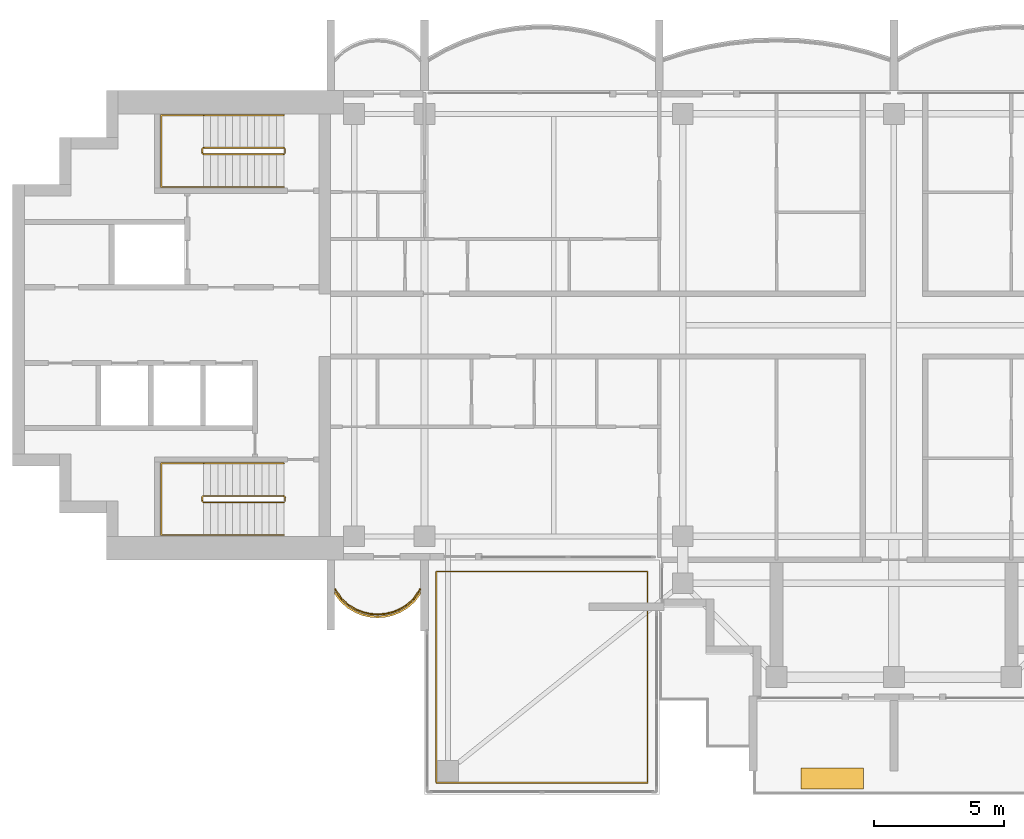
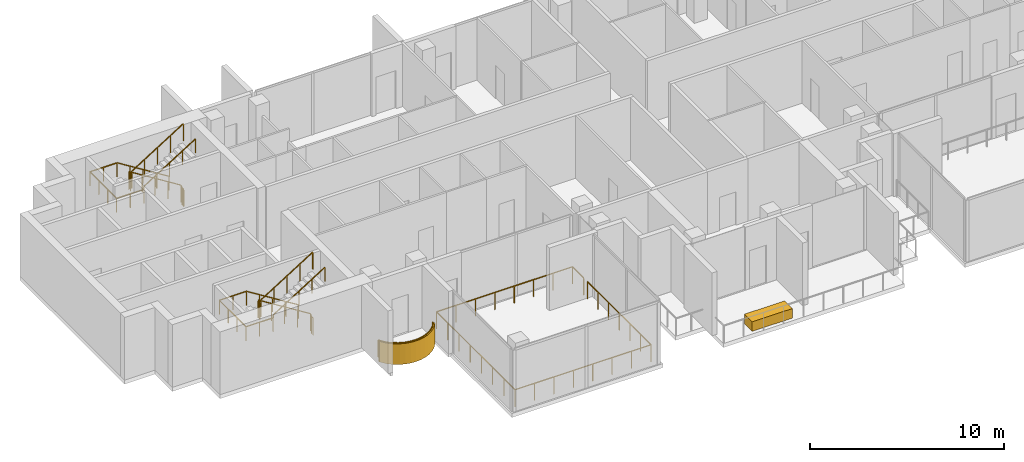
# One storey, part 13 of 16: 6 railings, 2 coverings.
"""IFC4 building model written with IfcOpenShell, lengths in metres."""

import ifcopenshell
import ifcopenshell.guid

model = None  # the IFC model being written
_history = None  # IfcOwnerHistory: only IFC2X3 demands one
_inside = {}  # id of a spatial element -> (the spatial element, [elements in it])
_under = {}  # id of a project, library or spatial element -> (it, [spatial elements below it])
_declared = {}  # id of a project -> (the project, [libraries it declares])
_typed = {}  # id of a type object -> (the type object, [elements of that type])
_made_of = {}  # id of a material, layer set ... -> (it, [elements and type objects made of it])


def new_model(schema):
    """Start an empty IFC model of exactly this schema.

    Asked for "IFC4X3", IfcOpenShell would pick the latest addendum, in which some entities
    have other attributes; the version numbers below select the first issue.
    IFC2X3 requires an IfcOwnerHistory on every rooted entity: one is made here for all.
    """
    global model, _history
    if schema == "IFC4X3":
        model = ifcopenshell.file(schema_version=(4, 3, 0, 0))
    else:
        model = ifcopenshell.file(schema=schema)
    _inside.clear()
    _under.clear()
    _declared.clear()
    _typed.clear()
    _made_of.clear()
    _history = None
    if model.schema == "IFC2X3":
        org = make("IfcOrganization", Name="unknown")
        user = make(
            "IfcPersonAndOrganization",
            ThePerson=make("IfcPerson", FamilyName="unknown"),
            TheOrganization=org,
        )
        app = make(
            "IfcApplication",
            ApplicationDeveloper=org,
            Version="unknown",
            ApplicationFullName="unknown",
            ApplicationIdentifier="unknown",
        )
        _history = make(
            "IfcOwnerHistory",
            OwningUser=user,
            OwningApplication=app,
            ChangeAction="ADDED",
            CreationDate=0,
        )
    return model


def make(cls, **values):
    """One entity of the class cls with the attributes given. An attribute that is None is left unset."""
    return model.create_entity(
        cls, **{name: value for name, value in values.items() if value is not None}
    )


def rooted(cls, **values):
    """An entity with a GlobalId (a new one), such as an element, a storey or a relation."""
    return make(cls, GlobalId=ifcopenshell.guid.new(), OwnerHistory=_history, **values)


def si_unit(unit_type, name, prefix=None):
    """IfcSIUnit, for example si_unit("LENGTHUNIT", "METRE", prefix="MILLI")."""
    return make("IfcSIUnit", UnitType=unit_type, Prefix=prefix, Name=name)


def assignment(units):
    """IfcUnitAssignment: the units of a project."""
    return None if units is None else make("IfcUnitAssignment", Units=units)


def point(xyz):
    """IfcCartesianPoint."""
    return None if xyz is None else make("IfcCartesianPoint", Coordinates=xyz)


def direction(xyz):
    """IfcDirection."""
    return None if xyz is None else make("IfcDirection", DirectionRatios=xyz)


def frame(location, z_axis=None, x_axis=None):
    """IfcAxis2Placement3D, a coordinate frame: its origin and axes. An axis left out is left unset."""
    return make(
        "IfcAxis2Placement3D",
        Location=point(location),
        Axis=direction(z_axis),
        RefDirection=direction(x_axis),
    )


def frame_2d(location, x_axis=None):
    """IfcAxis2Placement2D, a coordinate frame in the plane: its origin and x axis."""
    return make(
        "IfcAxis2Placement2D", Location=point(location), RefDirection=direction(x_axis)
    )


def origin():
    """The frame at (0, 0, 0) with its axes left unset."""
    return frame((0.0, 0.0, 0.0))


def origin_2d():
    """The frame at (0, 0) in the plane with its x axis left unset."""
    return frame_2d((0.0, 0.0))


def place(relative_to, where):
    """IfcLocalPlacement: puts the frame where relative to a parent placement (None: the world)."""
    return make(
        "IfcLocalPlacement", PlacementRelTo=relative_to, RelativePlacement=where
    )


def context(
    kind, dimensions, precision=None, world=None, true_north=None, identifier=None
):
    """IfcGeometricRepresentationContext, for example the 3D "Model" context."""
    return make(
        "IfcGeometricRepresentationContext",
        ContextIdentifier=identifier,
        ContextType=kind,
        CoordinateSpaceDimension=dimensions,
        Precision=precision,
        WorldCoordinateSystem=world,
        TrueNorth=true_north,
    )


def subcontext(parent, identifier, kind, view, scale=None):
    """IfcGeometricRepresentationSubContext, for example "Body" below "Model"."""
    return make(
        "IfcGeometricRepresentationSubContext",
        ContextIdentifier=identifier,
        ContextType=kind,
        ParentContext=parent,
        TargetScale=scale,
        TargetView=view,
    )


def project(units=None, contexts=None):
    """IfcProject with its units and contexts."""
    return rooted(
        "IfcProject",
        Name="project",
        RepresentationContexts=contexts,
        UnitsInContext=assignment(units),
    )


def spatial(cls, under=None, at=None, **own):
    """A site, building, storey or space (cls), placed at a placement, below another one or the project."""
    s = rooted(cls, ObjectPlacement=at, **own)
    if under is not None:
        _under.setdefault(under.id(), (under, []))[1].append(s)
    return s


def polyline(points):
    """IfcPolyline through the points."""
    return make("IfcPolyline", Points=[point(p) for p in points])


def profile(cls, at=None, kind="AREA", **sizes):
    """A parametric profile (cls). Its sizes go by their IFC names, for example OverallWidth=200.0."""
    return make(cls, ProfileType=kind, Position=at, **sizes)


def rectangle(**sizes):
    """IfcRectangleProfileDef."""
    return profile("IfcRectangleProfileDef", **sizes)


def outline(outer, holes=None, kind="AREA"):
    """IfcArbitraryClosedProfileDef: a profile drawn as a closed curve; with holes, ...WithVoids."""
    if holes is None:
        return make("IfcArbitraryClosedProfileDef", ProfileType=kind, OuterCurve=outer)
    return make(
        "IfcArbitraryProfileDefWithVoids",
        ProfileType=kind,
        OuterCurve=outer,
        InnerCurves=holes,
    )


def extrude(swept, where, along, depth):
    """IfcExtrudedAreaSolid: the profile swept, set in the frame where, extruded along a direction by depth."""
    return make(
        "IfcExtrudedAreaSolid",
        SweptArea=swept,
        Position=where,
        ExtrudedDirection=direction(along),
        Depth=depth,
    )


def shape(context_of_items, identifier, shape_type, items):
    """IfcShapeRepresentation: the items that make up one representation, for example the "Body"."""
    return make(
        "IfcShapeRepresentation",
        ContextOfItems=context_of_items,
        RepresentationIdentifier=identifier,
        RepresentationType=shape_type,
        Items=items,
    )


def material(Name=None, Category=None):
    """IfcMaterial."""
    return make("IfcMaterial", Name=Name, Category=Category)


def layer(
    of_material, thickness, ventilated=None, Name=None, Category=None, Priority=None
):
    """IfcMaterialLayer: one layer of a wall or slab, of a material (None: an air gap)."""
    return make(
        "IfcMaterialLayer",
        Material=of_material,
        LayerThickness=thickness,
        IsVentilated=ventilated,
        Name=Name,
        Category=Category,
        Priority=Priority,
    )


def layer_set(layers, Name=None):
    """IfcMaterialLayerSet."""
    return make("IfcMaterialLayerSet", MaterialLayers=layers, LayerSetName=Name)


def made_of(thing, what):
    """Note that an element or type object is made of a material, layer set ...; save() writes the relation."""
    if what is not None:
        _made_of.setdefault(what.id(), (what, []))[1].append(thing)
    return thing


def type_object(cls, material=None, **own):
    """A type object (cls), such as IfcWallType, which elements share."""
    return made_of(rooted(cls, **own), material)


def element(
    cls,
    number,
    at=None,
    inside=None,
    cuts=None,
    type_object=None,
    material=None,
    context=None,
    identifier="Body",
    shape_type=None,
    held_by="IfcProductDefinitionShape",
    body=None,
    shapes=None,
    **own,
):
    """One element of the class cls, such as IfcWall. Its Tag is "e" and its number.

    at: its placement. inside: the storey or other place that contains it. cuts: it is an
    opening in that element (IfcRelVoidsElement). A single representation is given by context,
    identifier, shape_type and body (its items); several are given by shapes. held_by: the class
    of the entity that holds the representations. save() writes the other relations.
    """
    e = rooted(cls, Tag="e%d" % number, ObjectPlacement=at, **own)
    if body is not None:
        shapes = [shape(context, identifier, shape_type, body)]
    if shapes is not None:
        e.Representation = make(held_by, Representations=shapes)
    if inside is not None:
        _inside.setdefault(inside.id(), (inside, []))[1].append(e)
    if cuts is not None:
        rooted(
            "IfcRelVoidsElement", RelatingBuildingElement=cuts, RelatedOpeningElement=e
        )
    if type_object is not None:
        _typed.setdefault(type_object.id(), (type_object, []))[1].append(e)
    return made_of(e, material)


def aggregate(whole, parts):
    """IfcRelAggregates: a whole, such as a stair, and the parts it consists of."""
    return rooted("IfcRelAggregates", RelatingObject=whole, RelatedObjects=parts)


def save(model, path):
    """Write the relations noted so far, then the file.

    IfcRelAggregates (storeys below a building ...), IfcRelContainedInSpatialStructure (elements
    in a storey), IfcRelDefinesByType, IfcRelAssociatesMaterial and IfcRelDeclares: one each for
    every whole, place, type object, material and project.
    """
    for whole, parts in _under.values():
        aggregate(whole, parts)
    for where, things in _inside.values():
        rooted(
            "IfcRelContainedInSpatialStructure",
            RelatedElements=things,
            RelatingStructure=where,
        )
    for kind, things in _typed.values():
        rooted("IfcRelDefinesByType", RelatedObjects=things, RelatingType=kind)
    for what, things in _made_of.values():
        rooted("IfcRelAssociatesMaterial", RelatedObjects=things, RelatingMaterial=what)
    for by, libraries in _declared.values():
        rooted("IfcRelDeclares", RelatingContext=by, RelatedDefinitions=libraries)
    model.write(path)


model = new_model("IFC4")

# Units and contexts
model_context = context("Model", 3, precision=1e-05, world=origin(), true_north=direction((0.0, 1.0)))
body_context = subcontext(model_context, "Body", "Model", "MODEL_VIEW")
ifc_project = project(units=[si_unit("LENGTHUNIT", "METRE"), si_unit("AREAUNIT", "SQUARE_METRE"), si_unit("VOLUMEUNIT", "CUBIC_METRE"), si_unit("PLANEANGLEUNIT", "RADIAN"), si_unit("MASSUNIT", "GRAM", prefix="KILO")], contexts=[model_context])

# Site, building, storey
site_placement = place(None, origin())
site = spatial("IfcSite", under=ifc_project, at=site_placement, CompositionType="ELEMENT")
building_placement = place(site_placement, origin())
building = spatial("IfcBuilding", under=site, at=building_placement, Name="Perihelion Cross Residences", CompositionType="ELEMENT")
storey_placement = place(building_placement, frame((0.0, 0.0, 290.39990234375)))
storey = spatial("IfcBuildingStorey", under=building, at=storey_placement, Name="L74", CompositionType="ELEMENT", Elevation=290.39990234375)

# Covering
ifc_material_1 = material(Name="Bronze anodised aluminium", Category="aluminium")
ifc_layer = layer(ifc_material_1, 0.070068359375)
ifc_layer_set = layer_set([ifc_layer], Name="Balcony fascia 1300")
covering_type_1 = type_object("IfcCoveringType", Name="Balcony fascia 1300", PredefinedType="CLADDING", material=ifc_layer_set)
covering_1_placement = place(storey_placement, frame((0.0, 0.0, -0.199951171875)))
element("IfcCovering", 1, at=covering_1_placement, inside=storey, type_object=covering_type_1, Name="Fascia BF1 L74 west side south bay 1", PredefinedType="CLADDING", context=body_context, shape_type="SweptSolid", body=[
    extrude(outline(polyline([(-21.226318359375, -10.616455078125), (-20.94091796875, -10.86328125), (-20.655517578125, -11.031494140625), (-20.370361328125, -11.142578125), (-20.085205078125, -11.206298828125), (-19.800048828125, -11.22705078125), (-19.514892578125, -11.206298828125), (-19.229736328125, -11.142578125), (-18.9443359375, -11.031494140625), (-18.6591796875, -10.86328125), (-18.373779296875, -10.616455078125), (-18.14990234375, -10.31689453125), (-18.14990234375, -10.199951171875), (-18.425048828125, -10.568603515625), (-18.699951171875, -10.806396484375), (-18.97509765625, -10.96875), (-19.25, -11.07568359375), (-19.52490234375, -11.136962890625), (-19.800048828125, -11.156982421875), (-20.074951171875, -11.136962890625), (-20.35009765625, -11.07568359375), (-20.625, -10.96875), (-20.89990234375, -10.806396484375), (-21.175048828125, -10.568603515625), (-21.449951171875, -10.199951171875), (-21.449951171875, -10.31689453125), (-21.226318359375, -10.616455078125)])), origin(), (0.0, 0.0, 1.0), 1.300048828125),
])

# Railings
ifc_material_2 = material(Name="Bronze anodised aluminium", Category="aluminium")
railing_type_1 = type_object("IfcRailingType", Name="Balcony guard 1100", PredefinedType="GUARDRAIL", material=ifc_material_2)
railing_1_placement = place(storey_placement, frame((-21.425048828125, -10.139892578125, 0.0)))
element("IfcRailing", 2, at=railing_1_placement, inside=storey, type_object=railing_type_1, Name="Guard GU1 L74 west side south bay 1 balcony", PredefinedType="GUARDRAIL", context=body_context, shape_type="SweptSolid", body=[
    extrude(rectangle(XDim=0.048095703125, YDim=0.048095703125, at=origin_2d()), frame((0.0, 0.0, 1.076171875), z_axis=(0.561260132269, -0.827639452857, 0.0), x_axis=(0.827639452857, 0.561260132269, 0.0)), (0.0, 0.0, 1.0), 0.4453125),
    extrude(rectangle(XDim=0.048095703125, YDim=0.048095703125, at=origin_2d()), frame((0.25, -0.36865234375, 1.076171875), z_axis=(0.756596535164, -0.653882009982, 0.0), x_axis=(0.653882009982, 0.756596535164, 0.0)), (0.0, 0.0, 1.0), 0.36376953125),
    extrude(rectangle(XDim=0.048095703125, YDim=0.048095703125, at=origin_2d()), frame((0.525146484375, -0.6064453125, 1.076171875), z_axis=(0.861048292884, -0.508523192511, 0.0), x_axis=(0.508523192511, 0.861048292884, 0.0)), (0.0, 0.0, 1.0), 0.3193359375),
    extrude(rectangle(XDim=0.048095703125, YDim=0.048095703125, at=origin_2d()), frame((0.800048828125, -0.768798828125, 1.076171875), z_axis=(0.931973602183, -0.362526143656, 0.0), x_axis=(0.362526143656, 0.931973602183, 0.0)), (0.0, 0.0, 1.0), 0.294921875),
    extrude(rectangle(XDim=0.048095703125, YDim=0.048095703125, at=origin_2d()), frame((1.074951171875, -0.875732421875, 1.076171875), z_axis=(0.976085059389, -0.21738895289, 0.0), x_axis=(0.21738895289, 0.976085059389, 0.0)), (0.0, 0.0, 1.0), 0.281982421875),
    extrude(rectangle(XDim=0.048095703125, YDim=0.048095703125, at=origin_2d()), frame((1.35009765625, -0.93701171875, 1.076171875), z_axis=(0.997358821833, -0.072631814734, 0.0), x_axis=(0.072631814734, 0.997358821833, 0.0)), (0.0, 0.0, 1.0), 0.275634765625),
    extrude(rectangle(XDim=0.048095703125, YDim=0.048095703125, at=origin_2d()), frame((1.625, -0.95703125, 1.076171875), z_axis=(0.997363488337, 0.072567707226, 0.0), x_axis=(-0.072567707226, 0.997363488337, 0.0)), (0.0, 0.0, 1.0), 0.27587890625),
    extrude(rectangle(XDim=0.048095703125, YDim=0.048095703125, at=origin_2d()), frame((1.900146484375, -0.93701171875, 1.076171875), z_axis=(0.976044077717, 0.217572880557, 0.0), x_axis=(-0.217572880557, 0.976044077717, 0.0)), (0.0, 0.0, 1.0), 0.28173828125),
    extrude(rectangle(XDim=0.048095703125, YDim=0.048095703125, at=origin_2d()), frame((2.175048828125, -0.875732421875, 1.076171875), z_axis=(0.931973602183, 0.362526143656, 0.0), x_axis=(-0.362526143656, 0.931973602183, 0.0)), (0.0, 0.0, 1.0), 0.294921875),
    extrude(rectangle(XDim=0.048095703125, YDim=0.048095703125, at=origin_2d()), frame((2.449951171875, -0.768798828125, 1.076171875), z_axis=(0.861245845072, 0.508188542123, 0.0), x_axis=(-0.508188542123, 0.861245845072, 0.0)), (0.0, 0.0, 1.0), 0.319580078125),
    extrude(rectangle(XDim=0.048095703125, YDim=0.048095703125, at=origin_2d()), frame((2.72509765625, -0.6064453125, 1.076171875), z_axis=(0.756309278473, 0.654214242658, 0.0), x_axis=(-0.654214242658, 0.756309278473, 0.0)), (0.0, 0.0, 1.0), 0.363525390625),
    extrude(rectangle(XDim=0.048095703125, YDim=0.048095703125, at=origin_2d()), frame((3.0, -0.36865234375, 1.076171875), z_axis=(0.561260132269, 0.827639452857, 0.0), x_axis=(-0.827639452857, 0.561260132269, 0.0)), (0.0, 0.0, 1.0), 0.4453125),
    extrude(rectangle(XDim=0.0419921875, YDim=0.0419921875, at=origin_2d()), origin(), (0.0, 0.0, 1.0), 1.052001953125),
    extrude(rectangle(XDim=0.0419921875, YDim=0.0419921875, at=origin_2d()), frame((0.25, -0.36865234375, 0.0)), (0.0, 0.0, 1.0), 1.052001953125),
    extrude(rectangle(XDim=0.0419921875, YDim=0.0419921875, at=origin_2d()), frame((0.525146484375, -0.6064453125, 0.0)), (0.0, 0.0, 1.0), 1.052001953125),
    extrude(rectangle(XDim=0.0419921875, YDim=0.0419921875, at=origin_2d()), frame((0.800048828125, -0.768798828125, 0.0)), (0.0, 0.0, 1.0), 1.052001953125),
    extrude(rectangle(XDim=0.0419921875, YDim=0.0419921875, at=origin_2d()), frame((1.074951171875, -0.875732421875, 0.0)), (0.0, 0.0, 1.0), 1.052001953125),
    extrude(rectangle(XDim=0.0419921875, YDim=0.0419921875, at=origin_2d()), frame((1.35009765625, -0.93701171875, 0.0)), (0.0, 0.0, 1.0), 1.052001953125),
    extrude(rectangle(XDim=0.0419921875, YDim=0.0419921875, at=origin_2d()), frame((1.625, -0.95703125, 0.0)), (0.0, 0.0, 1.0), 1.052001953125),
    extrude(rectangle(XDim=0.0419921875, YDim=0.0419921875, at=origin_2d()), frame((1.900146484375, -0.93701171875, 0.0)), (0.0, 0.0, 1.0), 1.052001953125),
    extrude(rectangle(XDim=0.0419921875, YDim=0.0419921875, at=origin_2d()), frame((2.175048828125, -0.875732421875, 0.0)), (0.0, 0.0, 1.0), 1.052001953125),
    extrude(rectangle(XDim=0.0419921875, YDim=0.0419921875, at=origin_2d()), frame((2.449951171875, -0.768798828125, 0.0)), (0.0, 0.0, 1.0), 1.052001953125),
    extrude(rectangle(XDim=0.0419921875, YDim=0.0419921875, at=origin_2d()), frame((2.72509765625, -0.6064453125, 0.0)), (0.0, 0.0, 1.0), 1.052001953125),
    extrude(rectangle(XDim=0.0419921875, YDim=0.0419921875, at=origin_2d()), frame((3.0, -0.36865234375, 0.0)), (0.0, 0.0, 1.0), 1.052001953125),
    extrude(rectangle(XDim=0.0419921875, YDim=0.0419921875, at=origin_2d()), frame((3.25, 0.0, 0.0)), (0.0, 0.0, 1.0), 1.052001953125),
])
railing_2_placement = place(storey_placement, frame((-9.449951171875, -10.989990234375, 0.0)))
element("IfcRailing", 3, at=railing_2_placement, inside=storey, type_object=railing_type_1, Name="Guard GU1 L74 pocket south-west 1", PredefinedType="GUARDRAIL", context=body_context, shape_type="SweptSolid", body=[
    extrude(rectangle(XDim=0.048095703125, YDim=0.048095703125, at=origin_2d()), frame((0.0, 0.0, 1.076171875), z_axis=(0.0, -1.0, 0.0), x_axis=(1.0, 0.0, 0.0)), (0.0, 0.0, 1.0), 6.56005859375),
    extrude(rectangle(XDim=0.048095703125, YDim=0.048095703125, at=origin_2d()), frame((0.0, -6.56005859375, 1.076171875), z_axis=(-1.0, 0.0, 0.0), x_axis=(0.0, -1.0, 0.0)), (0.0, 0.0, 1.0), 8.10009765625),
    extrude(rectangle(XDim=0.048095703125, YDim=0.048095703125, at=origin_2d()), frame((-8.10009765625, -6.56005859375, 1.076171875), z_axis=(0.0, 1.0, 0.0), x_axis=(-1.0, 0.0, 0.0)), (0.0, 0.0, 1.0), 8.10009765625),
    extrude(rectangle(XDim=0.048095703125, YDim=0.048095703125, at=origin_2d()), frame((-8.10009765625, 1.5400390625, 1.076171875), z_axis=(1.0, 0.0, 0.0), x_axis=(0.0, 1.0, 0.0)), (0.0, 0.0, 1.0), 8.10009765625),
    extrude(rectangle(XDim=0.048095703125, YDim=0.048095703125, at=origin_2d()), frame((0.0, 1.5400390625, 1.076171875), z_axis=(0.0, -1.0, 0.0), x_axis=(1.0, 0.0, 0.0)), (0.0, 0.0, 1.0), 1.16015625),
    extrude(rectangle(XDim=0.0419921875, YDim=0.0419921875, at=origin_2d()), origin(), (0.0, 0.0, 1.0), 1.052001953125),
    extrude(rectangle(XDim=0.0419921875, YDim=0.0419921875, at=origin_2d()), frame((0.0, -1.09326171875, 0.0)), (0.0, 0.0, 1.0), 1.052001953125),
    extrude(rectangle(XDim=0.0419921875, YDim=0.0419921875, at=origin_2d()), frame((0.0, -2.186767578125, 0.0)), (0.0, 0.0, 1.0), 1.052001953125),
    extrude(rectangle(XDim=0.0419921875, YDim=0.0419921875, at=origin_2d()), frame((0.0, -3.280029296875, 0.0)), (0.0, 0.0, 1.0), 1.052001953125),
    extrude(rectangle(XDim=0.0419921875, YDim=0.0419921875, at=origin_2d()), frame((0.0, -4.373291015625, 0.0)), (0.0, 0.0, 1.0), 1.052001953125),
    extrude(rectangle(XDim=0.0419921875, YDim=0.0419921875, at=origin_2d()), frame((0.0, -5.466796875, 0.0)), (0.0, 0.0, 1.0), 1.052001953125),
    extrude(rectangle(XDim=0.0419921875, YDim=0.0419921875, at=origin_2d()), frame((0.0, -6.56005859375, 0.0)), (0.0, 0.0, 1.0), 1.052001953125),
    extrude(rectangle(XDim=0.0419921875, YDim=0.0419921875, at=origin_2d()), frame((-1.1572265625, -6.56005859375, 0.0)), (0.0, 0.0, 1.0), 1.052001953125),
    extrude(rectangle(XDim=0.0419921875, YDim=0.0419921875, at=origin_2d()), frame((-2.314208984375, -6.56005859375, 0.0)), (0.0, 0.0, 1.0), 1.052001953125),
    extrude(rectangle(XDim=0.0419921875, YDim=0.0419921875, at=origin_2d()), frame((-3.471435546875, -6.56005859375, 0.0)), (0.0, 0.0, 1.0), 1.052001953125),
    extrude(rectangle(XDim=0.0419921875, YDim=0.0419921875, at=origin_2d()), frame((-4.628662109375, -6.56005859375, 0.0)), (0.0, 0.0, 1.0), 1.052001953125),
    extrude(rectangle(XDim=0.0419921875, YDim=0.0419921875, at=origin_2d()), frame((-5.785888671875, -6.56005859375, 0.0)), (0.0, 0.0, 1.0), 1.052001953125),
    extrude(rectangle(XDim=0.0419921875, YDim=0.0419921875, at=origin_2d()), frame((-6.94287109375, -6.56005859375, 0.0)), (0.0, 0.0, 1.0), 1.052001953125),
    extrude(rectangle(XDim=0.0419921875, YDim=0.0419921875, at=origin_2d()), frame((-8.10009765625, -6.56005859375, 0.0)), (0.0, 0.0, 1.0), 1.052001953125),
    extrude(rectangle(XDim=0.0419921875, YDim=0.0419921875, at=origin_2d()), frame((-8.10009765625, -5.40283203125, 0.0)), (0.0, 0.0, 1.0), 1.052001953125),
    extrude(rectangle(XDim=0.0419921875, YDim=0.0419921875, at=origin_2d()), frame((-8.10009765625, -4.245849609375, 0.0)), (0.0, 0.0, 1.0), 1.052001953125),
    extrude(rectangle(XDim=0.0419921875, YDim=0.0419921875, at=origin_2d()), frame((-8.10009765625, -3.088623046875, 0.0)), (0.0, 0.0, 1.0), 1.052001953125),
    extrude(rectangle(XDim=0.0419921875, YDim=0.0419921875, at=origin_2d()), frame((-8.10009765625, -1.931396484375, 0.0)), (0.0, 0.0, 1.0), 1.052001953125),
    extrude(rectangle(XDim=0.0419921875, YDim=0.0419921875, at=origin_2d()), frame((-8.10009765625, -0.774169921875, 0.0)), (0.0, 0.0, 1.0), 1.052001953125),
    extrude(rectangle(XDim=0.0419921875, YDim=0.0419921875, at=origin_2d()), frame((-8.10009765625, 0.3828125, 0.0)), (0.0, 0.0, 1.0), 1.052001953125),
    extrude(rectangle(XDim=0.0419921875, YDim=0.0419921875, at=origin_2d()), frame((-8.10009765625, 1.5400390625, 0.0)), (0.0, 0.0, 1.0), 1.052001953125),
    extrude(rectangle(XDim=0.0419921875, YDim=0.0419921875, at=origin_2d()), frame((-6.94287109375, 1.5400390625, 0.0)), (0.0, 0.0, 1.0), 1.052001953125),
    extrude(rectangle(XDim=0.0419921875, YDim=0.0419921875, at=origin_2d()), frame((-5.785888671875, 1.5400390625, 0.0)), (0.0, 0.0, 1.0), 1.052001953125),
    extrude(rectangle(XDim=0.0419921875, YDim=0.0419921875, at=origin_2d()), frame((-4.628662109375, 1.5400390625, 0.0)), (0.0, 0.0, 1.0), 1.052001953125),
    extrude(rectangle(XDim=0.0419921875, YDim=0.0419921875, at=origin_2d()), frame((-3.471435546875, 1.5400390625, 0.0)), (0.0, 0.0, 1.0), 1.052001953125),
    extrude(rectangle(XDim=0.0419921875, YDim=0.0419921875, at=origin_2d()), frame((-2.314208984375, 1.5400390625, 0.0)), (0.0, 0.0, 1.0), 1.052001953125),
    extrude(rectangle(XDim=0.0419921875, YDim=0.0419921875, at=origin_2d()), frame((-1.1572265625, 1.5400390625, 0.0)), (0.0, 0.0, 1.0), 1.052001953125),
    extrude(rectangle(XDim=0.0419921875, YDim=0.0419921875, at=origin_2d()), frame((0.0, 1.5400390625, 0.0)), (0.0, 0.0, 1.0), 1.052001953125),
    extrude(rectangle(XDim=0.0419921875, YDim=0.0419921875, at=origin_2d()), frame((0.0, 0.3798828125, 0.0)), (0.0, 0.0, 1.0), 1.052001953125),
])

# Covering
ifc_material_3 = material(Name="Precast concrete C40/50", Category="concrete")
covering_type_2 = type_object("IfcCoveringType", Name="Planter box 2400", PredefinedType="USERDEFINED", material=ifc_material_3)
covering_2_placement = place(storey_placement, frame((-2.3701171875, -17.389892578125, 0.0), z_axis=(0.0, 0.0, 1.0), x_axis=(-1.0, 0.0, 0.0)))
element("IfcCovering", 4, at=covering_2_placement, inside=storey, type_object=covering_type_2, Name="Planter PT1 L74 terrace 1 1", ObjectType="PLANTER", PredefinedType="USERDEFINED", context=body_context, shape_type="SweptSolid", body=[
    extrude(rectangle(XDim=2.39990234375, YDim=0.800048828125, at=origin_2d()), origin(), (0.0, 0.0, 1.0), 0.60009765625),
])

# Railings
ifc_material_4 = material(Name="Stainless steel", Category="steel")
railing_type_2 = type_object("IfcRailingType", Name="Stair guard 1100", PredefinedType="GUARDRAIL", material=ifc_material_4)
railing_3_placement = place(storey_placement, frame((-23.35009765625, 6.60009765625, 0.0)))
element("IfcRailing", 5, at=railing_3_placement, inside=storey, type_object=railing_type_2, Name="L74 ST-W1 stair guard 1", PredefinedType="GUARDRAIL", context=body_context, shape_type="SweptSolid", body=[
    extrude(rectangle(XDim=0.048095703125, YDim=0.048095703125, at=origin_2d()), frame((0.0, 0.0, 1.076171875), z_axis=(0.0, 1.0, 0.0), x_axis=(-1.0, 0.0, 0.0)), (0.0, 0.0, 1.0), 0.14990234375),
    extrude(rectangle(XDim=0.048095703125, YDim=0.048095703125, at=origin_2d()), frame((0.0, 0.14990234375, 1.076171875), z_axis=(-0.263862480399, 0.265155923931, 0.927399011991), x_axis=(-0.708833529934, -0.705375805398, 0.0)), (0.0, 0.0, 1.0), 0.188720703125),
    extrude(rectangle(XDim=0.048095703125, YDim=0.048095703125, at=origin_2d()), frame((-0.0498046875, 0.199951171875, 1.2509765625), z_axis=(-0.847998304005, 0.0, 0.529998940003), x_axis=(0.0, -1.0, 0.0)), (0.0, 0.0, 1.0), 3.632080078125),
    extrude(rectangle(XDim=0.048095703125, YDim=0.048095703125, at=origin_2d()), frame((-3.1298828125, 0.199951171875, 3.17626953125), z_axis=(-0.707106781187, -0.707106781187, 0.0), x_axis=(0.707106781187, -0.707106781187, 0.0)), (0.0, 0.0, 1.0), 0.07080078125),
    extrude(rectangle(XDim=0.048095703125, YDim=0.048095703125, at=origin_2d()), frame((-3.179931640625, 0.14990234375, 3.17626953125), z_axis=(0.0, -1.0, 0.0), x_axis=(1.0, 0.0, 0.0)), (0.0, 0.0, 1.0), 0.14990234375),
    extrude(rectangle(XDim=0.048095703125, YDim=0.048095703125, at=origin_2d()), frame((-3.179931640625, 0.0, 3.17626953125), z_axis=(0.265065253269, -0.265065253269, 0.927081885822), x_axis=(0.707106781187, 0.707106781187, 0.0)), (0.0, 0.0, 1.0), 0.188720703125),
    extrude(rectangle(XDim=0.048095703125, YDim=0.048095703125, at=origin_2d()), frame((-3.1298828125, -0.050048828125, 3.35107421875), z_axis=(0.847998304005, 0.0, 0.529998940003), x_axis=(0.0, 1.0, 0.0)), (0.0, 0.0, 1.0), 3.632080078125),
    extrude(rectangle(XDim=0.0419921875, YDim=0.0419921875, at=origin_2d()), origin(), (0.0, 0.0, 1.0), 1.052001953125),
    extrude(rectangle(XDim=0.0419921875, YDim=0.0419921875, at=origin_2d()), frame((0.0, 0.14990234375, 0.0)), (0.0, 0.0, 1.0), 1.052001953125),
    extrude(rectangle(XDim=0.0419921875, YDim=0.0419921875, at=origin_2d()), frame((-0.0498046875, 0.199951171875, 0.175048828125)), (0.0, 0.0, 1.0), 1.052001953125),
    extrude(rectangle(XDim=0.0419921875, YDim=0.0419921875, at=origin_2d()), frame((-0.81982421875, 0.199951171875, 0.65625)), (0.0, 0.0, 1.0), 1.052001953125),
    extrude(rectangle(XDim=0.0419921875, YDim=0.0419921875, at=origin_2d()), frame((-1.58984375, 0.199951171875, 1.1376953125)), (0.0, 0.0, 1.0), 1.052001953125),
    extrude(rectangle(XDim=0.0419921875, YDim=0.0419921875, at=origin_2d()), frame((-2.35986328125, 0.199951171875, 1.618896484375)), (0.0, 0.0, 1.0), 1.052001953125),
    extrude(rectangle(XDim=0.0419921875, YDim=0.0419921875, at=origin_2d()), frame((-3.1298828125, 0.199951171875, 2.10009765625)), (0.0, 0.0, 1.0), 1.052001953125),
    extrude(rectangle(XDim=0.0419921875, YDim=0.0419921875, at=origin_2d()), frame((-3.179931640625, 0.14990234375, 2.10009765625)), (0.0, 0.0, 1.0), 1.052001953125),
    extrude(rectangle(XDim=0.0419921875, YDim=0.0419921875, at=origin_2d()), frame((-3.179931640625, 0.0, 2.10009765625)), (0.0, 0.0, 1.0), 1.052001953125),
    extrude(rectangle(XDim=0.0419921875, YDim=0.0419921875, at=origin_2d()), frame((-3.1298828125, -0.050048828125, 2.275146484375)), (0.0, 0.0, 1.0), 1.052001953125),
    extrude(rectangle(XDim=0.0419921875, YDim=0.0419921875, at=origin_2d()), frame((-2.35986328125, -0.050048828125, 2.75634765625)), (0.0, 0.0, 1.0), 1.052001953125),
    extrude(rectangle(XDim=0.0419921875, YDim=0.0419921875, at=origin_2d()), frame((-1.58984375, -0.050048828125, 3.23779296875)), (0.0, 0.0, 1.0), 1.052001953125),
    extrude(rectangle(XDim=0.0419921875, YDim=0.0419921875, at=origin_2d()), frame((-0.81982421875, -0.050048828125, 3.718994140625)), (0.0, 0.0, 1.0), 1.052001953125),
    extrude(rectangle(XDim=0.0419921875, YDim=0.0419921875, at=origin_2d()), frame((-0.0498046875, -0.050048828125, 4.2001953125)), (0.0, 0.0, 1.0), 1.052001953125),
])
railing_4_placement = place(storey_placement, frame((-23.35009765625, -6.75, 0.0)))
element("IfcRailing", 6, at=railing_4_placement, inside=storey, type_object=railing_type_2, Name="L74 ST-W2 stair guard 1", PredefinedType="GUARDRAIL", context=body_context, shape_type="SweptSolid", body=[
    extrude(rectangle(XDim=0.048095703125, YDim=0.048095703125, at=origin_2d()), frame((0.0, 0.0, 1.076171875), z_axis=(0.0, 1.0, 0.0), x_axis=(-1.0, 0.0, 0.0)), (0.0, 0.0, 1.0), 0.14990234375),
    extrude(rectangle(XDim=0.048095703125, YDim=0.048095703125, at=origin_2d()), frame((0.0, 0.14990234375, 1.076171875), z_axis=(-0.263862480399, 0.265155923931, 0.927399011991), x_axis=(-0.708833529934, -0.705375805398, 0.0)), (0.0, 0.0, 1.0), 0.188720703125),
    extrude(rectangle(XDim=0.048095703125, YDim=0.048095703125, at=origin_2d()), frame((-0.0498046875, 0.199951171875, 1.2509765625), z_axis=(-0.847998304005, 0.0, 0.529998940003), x_axis=(0.0, -1.0, 0.0)), (0.0, 0.0, 1.0), 3.632080078125),
    extrude(rectangle(XDim=0.048095703125, YDim=0.048095703125, at=origin_2d()), frame((-3.1298828125, 0.199951171875, 3.17626953125), z_axis=(-0.707106781187, -0.707106781187, 0.0), x_axis=(0.707106781187, -0.707106781187, 0.0)), (0.0, 0.0, 1.0), 0.07080078125),
    extrude(rectangle(XDim=0.048095703125, YDim=0.048095703125, at=origin_2d()), frame((-3.179931640625, 0.14990234375, 3.17626953125), z_axis=(0.0, -1.0, 0.0), x_axis=(1.0, 0.0, 0.0)), (0.0, 0.0, 1.0), 0.14990234375),
    extrude(rectangle(XDim=0.048095703125, YDim=0.048095703125, at=origin_2d()), frame((-3.179931640625, 0.0, 3.17626953125), z_axis=(0.265065253269, -0.265065253269, 0.927081885822), x_axis=(0.707106781187, 0.707106781187, 0.0)), (0.0, 0.0, 1.0), 0.188720703125),
    extrude(rectangle(XDim=0.048095703125, YDim=0.048095703125, at=origin_2d()), frame((-3.1298828125, -0.050048828125, 3.35107421875), z_axis=(0.847998304005, 0.0, 0.529998940003), x_axis=(0.0, 1.0, 0.0)), (0.0, 0.0, 1.0), 3.632080078125),
    extrude(rectangle(XDim=0.0419921875, YDim=0.0419921875, at=origin_2d()), origin(), (0.0, 0.0, 1.0), 1.052001953125),
    extrude(rectangle(XDim=0.0419921875, YDim=0.0419921875, at=origin_2d()), frame((0.0, 0.14990234375, 0.0)), (0.0, 0.0, 1.0), 1.052001953125),
    extrude(rectangle(XDim=0.0419921875, YDim=0.0419921875, at=origin_2d()), frame((-0.0498046875, 0.199951171875, 0.175048828125)), (0.0, 0.0, 1.0), 1.052001953125),
    extrude(rectangle(XDim=0.0419921875, YDim=0.0419921875, at=origin_2d()), frame((-0.81982421875, 0.199951171875, 0.65625)), (0.0, 0.0, 1.0), 1.052001953125),
    extrude(rectangle(XDim=0.0419921875, YDim=0.0419921875, at=origin_2d()), frame((-1.58984375, 0.199951171875, 1.1376953125)), (0.0, 0.0, 1.0), 1.052001953125),
    extrude(rectangle(XDim=0.0419921875, YDim=0.0419921875, at=origin_2d()), frame((-2.35986328125, 0.199951171875, 1.618896484375)), (0.0, 0.0, 1.0), 1.052001953125),
    extrude(rectangle(XDim=0.0419921875, YDim=0.0419921875, at=origin_2d()), frame((-3.1298828125, 0.199951171875, 2.10009765625)), (0.0, 0.0, 1.0), 1.052001953125),
    extrude(rectangle(XDim=0.0419921875, YDim=0.0419921875, at=origin_2d()), frame((-3.179931640625, 0.14990234375, 2.10009765625)), (0.0, 0.0, 1.0), 1.052001953125),
    extrude(rectangle(XDim=0.0419921875, YDim=0.0419921875, at=origin_2d()), frame((-3.179931640625, 0.0, 2.10009765625)), (0.0, 0.0, 1.0), 1.052001953125),
    extrude(rectangle(XDim=0.0419921875, YDim=0.0419921875, at=origin_2d()), frame((-3.1298828125, -0.050048828125, 2.275146484375)), (0.0, 0.0, 1.0), 1.052001953125),
    extrude(rectangle(XDim=0.0419921875, YDim=0.0419921875, at=origin_2d()), frame((-2.35986328125, -0.050048828125, 2.75634765625)), (0.0, 0.0, 1.0), 1.052001953125),
    extrude(rectangle(XDim=0.0419921875, YDim=0.0419921875, at=origin_2d()), frame((-1.58984375, -0.050048828125, 3.23779296875)), (0.0, 0.0, 1.0), 1.052001953125),
    extrude(rectangle(XDim=0.0419921875, YDim=0.0419921875, at=origin_2d()), frame((-0.81982421875, -0.050048828125, 3.718994140625)), (0.0, 0.0, 1.0), 1.052001953125),
    extrude(rectangle(XDim=0.0419921875, YDim=0.0419921875, at=origin_2d()), frame((-0.0498046875, -0.050048828125, 4.2001953125)), (0.0, 0.0, 1.0), 1.052001953125),
])
ifc_material_5 = material(Name="Stainless steel", Category="steel")
railing_type_3 = type_object("IfcRailingType", Name="Stair handrail 900", PredefinedType="HANDRAIL", material=ifc_material_5)
railing_5_placement = place(storey_placement, frame((-23.39990234375, 8.050048828125, 0.175048828125)))
element("IfcRailing", 7, at=railing_5_placement, inside=storey, type_object=railing_type_3, Name="L74 ST-W1 stair handrail 1", PredefinedType="HANDRAIL", context=body_context, shape_type="SweptSolid", body=[
    extrude(rectangle(XDim=0.048095703125, YDim=0.048095703125, at=origin_2d()), frame((0.0, 0.0, 0.8759765625), z_axis=(-0.847998304005, 0.0, 0.529998940003), x_axis=(0.0, -1.0, 0.0)), (0.0, 0.0, 1.0), 3.632080078125),
    extrude(rectangle(XDim=0.048095703125, YDim=0.048095703125, at=origin_2d()), frame((-3.080078125, 0.0, 2.80078125), z_axis=(-1.0, 0.0, 0.0), x_axis=(0.0, -1.0, 0.0)), (0.0, 0.0, 1.0), 1.6201171875),
    extrude(rectangle(XDim=0.048095703125, YDim=0.048095703125, at=origin_2d()), frame((-4.7001953125, 0.0, 2.80078125), z_axis=(0.0, -1.0, 0.0), x_axis=(1.0, 0.0, 0.0)), (0.0, 0.0, 1.0), 2.75),
    extrude(rectangle(XDim=0.048095703125, YDim=0.048095703125, at=origin_2d()), frame((-4.7001953125, -2.75, 2.80078125), z_axis=(1.0, 0.0, 0.0), x_axis=(0.0, 1.0, 0.0)), (0.0, 0.0, 1.0), 1.6201171875),
    extrude(rectangle(XDim=0.048095703125, YDim=0.048095703125, at=origin_2d()), frame((-3.080078125, -2.75, 2.80078125), z_axis=(0.0, 0.0, 1.0), x_axis=(1.0, 0.0, 0.0)), (0.0, 0.0, 1.0), 0.175048828125),
    extrude(rectangle(XDim=0.048095703125, YDim=0.048095703125, at=origin_2d()), frame((-3.080078125, -2.75, 2.97607421875), z_axis=(0.847998304005, 0.0, 0.529998940003), x_axis=(0.0, 1.0, 0.0)), (0.0, 0.0, 1.0), 3.632080078125),
    extrude(rectangle(XDim=0.0419921875, YDim=0.0419921875, at=origin_2d()), origin(), (0.0, 0.0, 1.0), 0.851806640625),
    extrude(rectangle(XDim=0.0419921875, YDim=0.0419921875, at=origin_2d()), frame((-0.77001953125, 0.0, 0.481201171875)), (0.0, 0.0, 1.0), 0.851806640625),
    extrude(rectangle(XDim=0.0419921875, YDim=0.0419921875, at=origin_2d()), frame((-1.5400390625, 0.0, 0.96240234375)), (0.0, 0.0, 1.0), 0.851806640625),
    extrude(rectangle(XDim=0.0419921875, YDim=0.0419921875, at=origin_2d()), frame((-2.31005859375, 0.0, 1.44384765625)), (0.0, 0.0, 1.0), 0.851806640625),
    extrude(rectangle(XDim=0.0419921875, YDim=0.0419921875, at=origin_2d()), frame((-3.080078125, 0.0, 1.925048828125)), (0.0, 0.0, 1.0), 0.851806640625),
    extrude(rectangle(XDim=0.0419921875, YDim=0.0419921875, at=origin_2d()), frame((-3.89013671875, 0.0, 1.925048828125)), (0.0, 0.0, 1.0), 0.851806640625),
    extrude(rectangle(XDim=0.0419921875, YDim=0.0419921875, at=origin_2d()), frame((-4.7001953125, 0.0, 1.925048828125)), (0.0, 0.0, 1.0), 0.851806640625),
    extrude(rectangle(XDim=0.0419921875, YDim=0.0419921875, at=origin_2d()), frame((-4.7001953125, -0.916748046875, 1.925048828125)), (0.0, 0.0, 1.0), 0.851806640625),
    extrude(rectangle(XDim=0.0419921875, YDim=0.0419921875, at=origin_2d()), frame((-4.7001953125, -1.833251953125, 1.925048828125)), (0.0, 0.0, 1.0), 0.851806640625),
    extrude(rectangle(XDim=0.0419921875, YDim=0.0419921875, at=origin_2d()), frame((-4.7001953125, -2.75, 1.925048828125)), (0.0, 0.0, 1.0), 0.851806640625),
    extrude(rectangle(XDim=0.0419921875, YDim=0.0419921875, at=origin_2d()), frame((-3.89013671875, -2.75, 1.925048828125)), (0.0, 0.0, 1.0), 0.851806640625),
    extrude(rectangle(XDim=0.0419921875, YDim=0.0419921875, at=origin_2d()), frame((-3.080078125, -2.75, 1.925048828125)), (0.0, 0.0, 1.0), 0.851806640625),
    extrude(rectangle(XDim=0.0419921875, YDim=0.0419921875, at=origin_2d()), frame((-3.080078125, -2.75, 2.10009765625)), (0.0, 0.0, 1.0), 0.851806640625),
    extrude(rectangle(XDim=0.0419921875, YDim=0.0419921875, at=origin_2d()), frame((-2.31005859375, -2.75, 2.581298828125)), (0.0, 0.0, 1.0), 0.851806640625),
    extrude(rectangle(XDim=0.0419921875, YDim=0.0419921875, at=origin_2d()), frame((-1.5400390625, -2.75, 3.0625)), (0.0, 0.0, 1.0), 0.851806640625),
    extrude(rectangle(XDim=0.0419921875, YDim=0.0419921875, at=origin_2d()), frame((-0.77001953125, -2.75, 3.5439453125)), (0.0, 0.0, 1.0), 0.851806640625),
    extrude(rectangle(XDim=0.0419921875, YDim=0.0419921875, at=origin_2d()), frame((0.0, -2.75, 4.025146484375)), (0.0, 0.0, 1.0), 0.851806640625),
])
railing_6_placement = place(storey_placement, frame((-23.39990234375, -5.300048828125, 0.175048828125)))
element("IfcRailing", 8, at=railing_6_placement, inside=storey, type_object=railing_type_3, Name="L74 ST-W2 stair handrail 1", PredefinedType="HANDRAIL", context=body_context, shape_type="SweptSolid", body=[
    extrude(rectangle(XDim=0.048095703125, YDim=0.048095703125, at=origin_2d()), frame((0.0, 0.0, 0.8759765625), z_axis=(-0.847998304005, 0.0, 0.529998940003), x_axis=(0.0, -1.0, 0.0)), (0.0, 0.0, 1.0), 3.632080078125),
    extrude(rectangle(XDim=0.048095703125, YDim=0.048095703125, at=origin_2d()), frame((-3.080078125, 0.0, 2.80078125), z_axis=(-1.0, 0.0, 0.0), x_axis=(0.0, -1.0, 0.0)), (0.0, 0.0, 1.0), 1.6201171875),
    extrude(rectangle(XDim=0.048095703125, YDim=0.048095703125, at=origin_2d()), frame((-4.7001953125, 0.0, 2.80078125), z_axis=(0.0, -1.0, 0.0), x_axis=(1.0, 0.0, 0.0)), (0.0, 0.0, 1.0), 2.75),
    extrude(rectangle(XDim=0.048095703125, YDim=0.048095703125, at=origin_2d()), frame((-4.7001953125, -2.75, 2.80078125), z_axis=(1.0, 0.0, 0.0), x_axis=(0.0, 1.0, 0.0)), (0.0, 0.0, 1.0), 1.6201171875),
    extrude(rectangle(XDim=0.048095703125, YDim=0.048095703125, at=origin_2d()), frame((-3.080078125, -2.75, 2.80078125), z_axis=(0.0, 0.0, 1.0), x_axis=(1.0, 0.0, 0.0)), (0.0, 0.0, 1.0), 0.175048828125),
    extrude(rectangle(XDim=0.048095703125, YDim=0.048095703125, at=origin_2d()), frame((-3.080078125, -2.75, 2.97607421875), z_axis=(0.847998304005, 0.0, 0.529998940003), x_axis=(0.0, 1.0, 0.0)), (0.0, 0.0, 1.0), 3.632080078125),
    extrude(rectangle(XDim=0.0419921875, YDim=0.0419921875, at=origin_2d()), origin(), (0.0, 0.0, 1.0), 0.851806640625),
    extrude(rectangle(XDim=0.0419921875, YDim=0.0419921875, at=origin_2d()), frame((-0.77001953125, 0.0, 0.481201171875)), (0.0, 0.0, 1.0), 0.851806640625),
    extrude(rectangle(XDim=0.0419921875, YDim=0.0419921875, at=origin_2d()), frame((-1.5400390625, 0.0, 0.96240234375)), (0.0, 0.0, 1.0), 0.851806640625),
    extrude(rectangle(XDim=0.0419921875, YDim=0.0419921875, at=origin_2d()), frame((-2.31005859375, 0.0, 1.44384765625)), (0.0, 0.0, 1.0), 0.851806640625),
    extrude(rectangle(XDim=0.0419921875, YDim=0.0419921875, at=origin_2d()), frame((-3.080078125, 0.0, 1.925048828125)), (0.0, 0.0, 1.0), 0.851806640625),
    extrude(rectangle(XDim=0.0419921875, YDim=0.0419921875, at=origin_2d()), frame((-3.89013671875, 0.0, 1.925048828125)), (0.0, 0.0, 1.0), 0.851806640625),
    extrude(rectangle(XDim=0.0419921875, YDim=0.0419921875, at=origin_2d()), frame((-4.7001953125, 0.0, 1.925048828125)), (0.0, 0.0, 1.0), 0.851806640625),
    extrude(rectangle(XDim=0.0419921875, YDim=0.0419921875, at=origin_2d()), frame((-4.7001953125, -0.916748046875, 1.925048828125)), (0.0, 0.0, 1.0), 0.851806640625),
    extrude(rectangle(XDim=0.0419921875, YDim=0.0419921875, at=origin_2d()), frame((-4.7001953125, -1.833251953125, 1.925048828125)), (0.0, 0.0, 1.0), 0.851806640625),
    extrude(rectangle(XDim=0.0419921875, YDim=0.0419921875, at=origin_2d()), frame((-4.7001953125, -2.75, 1.925048828125)), (0.0, 0.0, 1.0), 0.851806640625),
    extrude(rectangle(XDim=0.0419921875, YDim=0.0419921875, at=origin_2d()), frame((-3.89013671875, -2.75, 1.925048828125)), (0.0, 0.0, 1.0), 0.851806640625),
    extrude(rectangle(XDim=0.0419921875, YDim=0.0419921875, at=origin_2d()), frame((-3.080078125, -2.75, 1.925048828125)), (0.0, 0.0, 1.0), 0.851806640625),
    extrude(rectangle(XDim=0.0419921875, YDim=0.0419921875, at=origin_2d()), frame((-3.080078125, -2.75, 2.10009765625)), (0.0, 0.0, 1.0), 0.851806640625),
    extrude(rectangle(XDim=0.0419921875, YDim=0.0419921875, at=origin_2d()), frame((-2.31005859375, -2.75, 2.581298828125)), (0.0, 0.0, 1.0), 0.851806640625),
    extrude(rectangle(XDim=0.0419921875, YDim=0.0419921875, at=origin_2d()), frame((-1.5400390625, -2.75, 3.0625)), (0.0, 0.0, 1.0), 0.851806640625),
    extrude(rectangle(XDim=0.0419921875, YDim=0.0419921875, at=origin_2d()), frame((-0.77001953125, -2.75, 3.5439453125)), (0.0, 0.0, 1.0), 0.851806640625),
    extrude(rectangle(XDim=0.0419921875, YDim=0.0419921875, at=origin_2d()), frame((0.0, -2.75, 4.025146484375)), (0.0, 0.0, 1.0), 0.851806640625),
])

save(model, "model.ifc")
